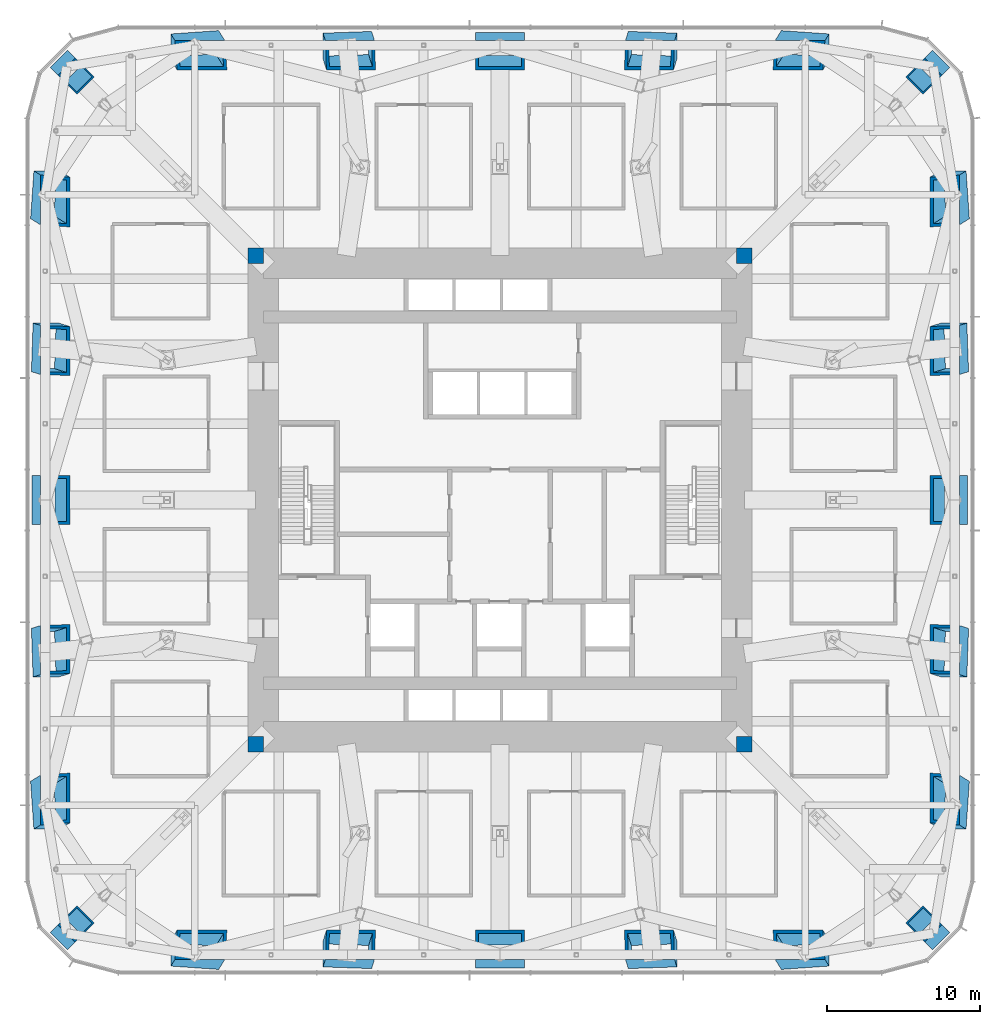
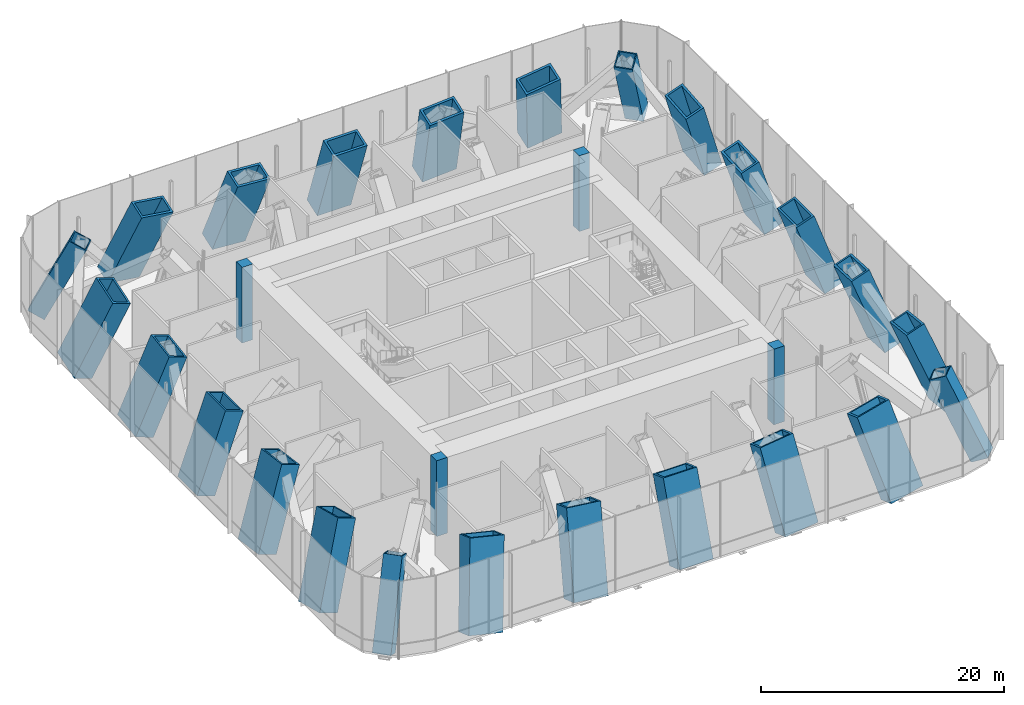
# One storey, part 1 of 20: 28 columns.
"""IFC4 building model written with IfcOpenShell, lengths in metres."""

from ifc_helpers import new_model, si_unit, direction, frame, origin, origin_2d, place, context, subcontext, project, spatial, rectangle, hollow_rectangle, extrude, material, material_profile, profile_set, type_object, element, save


model = new_model("IFC4")

# Units and contexts
model_context = context("Model", 3, precision=1e-05, world=origin(), true_north=direction((0.0, 1.0)))
body_context = subcontext(model_context, "Body", "Model", "MODEL_VIEW")
ifc_project = project(units=[si_unit("LENGTHUNIT", "METRE"), si_unit("AREAUNIT", "SQUARE_METRE"), si_unit("VOLUMEUNIT", "CUBIC_METRE"), si_unit("PLANEANGLEUNIT", "RADIAN"), si_unit("MASSUNIT", "GRAM", prefix="KILO")], contexts=[model_context])

# Site, building, storey
site_placement = place(None, origin())
site = spatial("IfcSite", under=ifc_project, at=site_placement, CompositionType="ELEMENT")
building_placement = place(site_placement, origin())
building = spatial("IfcBuilding", under=site, at=building_placement, Name="Khuree Lantern Residences", CompositionType="ELEMENT")
storey_placement = place(building_placement, frame((0.0, 0.0, 99.75)))
storey = spatial("IfcBuildingStorey", under=building, at=storey_placement, Name="L25", CompositionType="ELEMENT", Elevation=99.75)

# Columns
ifc_material_1 = material(Name="Steel S355 CFT welded box", Category="steel")
ifc_material_profile_1 = material_profile(ifc_material_1, hollow_rectangle(XDim=1.60009765625, YDim=1.60009765625, WallThickness=0.10009765625, at=origin_2d()), Name="WELDED BOX 1600X1600X100")
ifc_profile_set_1 = profile_set([ifc_material_profile_1], Name="Steel S355 CFT welded box")
column_type_1 = type_object("IfcColumnType", Name="CC1600 PERIMETER CORNER MEGA COLUMN WELDED BOX 1600X1600X100", PredefinedType="COLUMN", material=ifc_profile_set_1)
for number, where, z_axis, x_axis, name in (
    (1, (28.39404296875, 28.39404296875, -0.64990234375), (-0.300622896132, -0.300622896132, 0.905125266824), (0.707106781187, -0.707106781187, 0.0), "Perimeter column NE"),
    (2, (28.39404296875, -28.39404296875, -0.64990234375), (-0.300622896132, 0.300622896132, 0.905125266824), (0.707106781187, 0.707106781187, 0.0), "Perimeter column SE"),
    (3, (-28.39404296875, -28.39404296875, -0.64990234375), (0.300622896132, 0.300622896132, 0.905125266824), (0.707106781187, -0.707106781187, 0.0), "Perimeter column SW"),
    (4, (-28.39404296875, 28.39404296875, -0.64990234375), (0.300622896132, -0.300622896132, 0.905125266824), (0.707106781187, 0.707106781187, 0.0), "Perimeter column NW"),
):
    element("IfcColumn", number, at=place(storey_placement, frame(where, z_axis=z_axis, x_axis=x_axis)), inside=storey, type_object=column_type_1, Name=name, PredefinedType="COLUMN", context=body_context, shape_type="SweptSolid", body=[
        extrude(hollow_rectangle(XDim=1.60009765625, YDim=1.60009765625, WallThickness=0.10009765625, at=origin_2d()), origin(), (0.0, 0.0, 1.0), 8.396484375),
    ])
ifc_material_2 = material(Name="Concrete C70/85", Category="concrete")
ifc_material_profile_2 = material_profile(ifc_material_2, rectangle(XDim=1.0, YDim=1.0, at=origin_2d()), Name="RC 1000X1000")
ifc_profile_set_2 = profile_set([ifc_material_profile_2], Name="Concrete C70/85")
column_type_2 = type_object("IfcColumnType", Name="CP1000-C70 CORE CORNER PIER C70 RC 1000X1000", PredefinedType="COLUMN", material=ifc_profile_set_2)
for number, where, z_axis, x_axis, name in (
    (5, (16.0, 16.0, -0.35009765625), (0.0, 0.0, 1.0), (1.0, 0.0, 0.0), "Core corner pier NE"),
    (6, (-16.0, 16.0, -0.35009765625), (0.0, 0.0, 1.0), (1.0, 0.0, 0.0), "Core corner pier NW"),
    (7, (-16.0, -16.0, -0.35009765625), (0.0, 0.0, 1.0), (1.0, 0.0, 0.0), "Core corner pier SW"),
    (8, (16.0, -16.0, -0.35009765625), (0.0, 0.0, 1.0), (1.0, 0.0, 0.0), "Core corner pier SE"),
):
    element("IfcColumn", number, at=place(storey_placement, frame(where, z_axis=z_axis, x_axis=x_axis)), inside=storey, type_object=column_type_2, Name=name, PredefinedType="COLUMN", context=body_context, shape_type="SweptSolid", body=[
        extrude(rectangle(XDim=1.0, YDim=1.0, at=origin_2d()), origin(), (0.0, 0.0, 1.0), 7.60009765625),
    ])
ifc_material_profile_3 = material_profile(ifc_material_1, hollow_rectangle(XDim=3.199951171875, YDim=1.800048828125, WallThickness=0.199951171875, at=origin_2d()), Name="WELDED BOX 3200X1800X200")
ifc_profile_set_3 = profile_set([ifc_material_profile_3], Name="Steel S355 CFT welded box")
column_type_3 = type_object("IfcColumnType", Name="SC1 PERIMETER MEGA COLUMN WELDED BOX 3200X1800X200", PredefinedType="COLUMN", material=ifc_profile_set_3)
column_1_placement = place(storey_placement, frame((-20.0, 29.800048828125, -0.64990234375), z_axis=(0.203917129379, -0.327731366633, 0.922502008492), x_axis=(0.978988153279, 0.068255512614, -0.192154575114)))
element("IfcColumn", 9, at=column_1_placement, inside=storey, type_object=column_type_3, Name="Perimeter column N1", PredefinedType="COLUMN", context=body_context, shape_type="SweptSolid", body=[
    extrude(hollow_rectangle(XDim=3.199951171875, YDim=1.800048828125, WallThickness=0.199951171875, at=origin_2d()), origin(), (0.0, 0.0, 1.0), 8.23828125),
])
column_2_placement = place(storey_placement, frame((-10.0, 29.800048828125, -0.64990234375), z_axis=(0.103601510687, -0.332963994967, 0.937230870724), x_axis=(0.994618884766, 0.034712905596, -0.097612951251)))
element("IfcColumn", 10, at=column_2_placement, inside=storey, type_object=column_type_3, Name="Perimeter column N2", PredefinedType="COLUMN", context=body_context, shape_type="SweptSolid", body=[
    extrude(hollow_rectangle(XDim=3.199951171875, YDim=1.800048828125, WallThickness=0.199951171875, at=origin_2d()), origin(), (0.0, 0.0, 1.0), 8.10888671875),
])
column_3_placement = place(storey_placement, frame((0.0, 29.800048828125, -0.64990234375), z_axis=(0.0, -0.334765406017, 0.942301503201), x_axis=(1.0, 0.0, 0.0)))
element("IfcColumn", 11, at=column_3_placement, inside=storey, type_object=column_type_3, Name="Perimeter column N3", PredefinedType="COLUMN", context=body_context, shape_type="SweptSolid", body=[
    extrude(hollow_rectangle(XDim=3.199951171875, YDim=1.800048828125, WallThickness=0.199951171875, at=origin_2d()), origin(), (0.0, 0.0, 1.0), 8.065185546875),
])
column_4_placement = place(storey_placement, frame((10.0, 29.800048828125, -0.64990234375), z_axis=(-0.103601510687, -0.332963994967, 0.937230870724), x_axis=(0.994618884766, -0.034712905596, 0.097612951251)))
element("IfcColumn", 12, at=column_4_placement, inside=storey, type_object=column_type_3, Name="Perimeter column N4", PredefinedType="COLUMN", context=body_context, shape_type="SweptSolid", body=[
    extrude(hollow_rectangle(XDim=3.199951171875, YDim=1.800048828125, WallThickness=0.199951171875, at=origin_2d()), origin(), (0.0, 0.0, 1.0), 8.10888671875),
])
for number, where, z_axis, x_axis, name in (
    (13, (20.0, 29.800048828125, -0.64990234375), (-0.203917129379, -0.327731366633, 0.922502008492), (0.978988153279, -0.068255512614, 0.192154575114), "Perimeter column N5"),
    (14, (29.800048828125, 20.0, -0.64990234375), (-0.327731366633, -0.203917129379, 0.922502008492), (-0.068255512614, 0.978988153279, 0.192154575114), "Perimeter column E1"),
):
    element("IfcColumn", number, at=place(storey_placement, frame(where, z_axis=z_axis, x_axis=x_axis)), inside=storey, type_object=column_type_3, Name=name, PredefinedType="COLUMN", context=body_context, shape_type="SweptSolid", body=[
        extrude(hollow_rectangle(XDim=3.199951171875, YDim=1.800048828125, WallThickness=0.199951171875, at=origin_2d()), origin(), (0.0, 0.0, 1.0), 8.23828125),
    ])
column_5_placement = place(storey_placement, frame((29.800048828125, 10.0, -0.64990234375), z_axis=(-0.332963994967, -0.103601510687, 0.937230870724), x_axis=(-0.034712905596, 0.994618884766, 0.097612951251)))
element("IfcColumn", 15, at=column_5_placement, inside=storey, type_object=column_type_3, Name="Perimeter column E2", PredefinedType="COLUMN", context=body_context, shape_type="SweptSolid", body=[
    extrude(hollow_rectangle(XDim=3.199951171875, YDim=1.800048828125, WallThickness=0.199951171875, at=origin_2d()), origin(), (0.0, 0.0, 1.0), 8.10888671875),
])
column_6_placement = place(storey_placement, frame((29.800048828125, 0.0, -0.64990234375), z_axis=(-0.334765406017, 0.0, 0.942301503201), x_axis=(0.0, 1.0, 0.0)))
element("IfcColumn", 16, at=column_6_placement, inside=storey, type_object=column_type_3, Name="Perimeter column E3", PredefinedType="COLUMN", context=body_context, shape_type="SweptSolid", body=[
    extrude(hollow_rectangle(XDim=3.199951171875, YDim=1.800048828125, WallThickness=0.199951171875, at=origin_2d()), origin(), (0.0, 0.0, 1.0), 8.065185546875),
])
column_7_placement = place(storey_placement, frame((29.800048828125, -10.0, -0.64990234375), z_axis=(-0.332963994967, 0.103601510687, 0.937230870724), x_axis=(0.034712905596, 0.994618884766, -0.097612951251)))
element("IfcColumn", 17, at=column_7_placement, inside=storey, type_object=column_type_3, Name="Perimeter column E4", PredefinedType="COLUMN", context=body_context, shape_type="SweptSolid", body=[
    extrude(hollow_rectangle(XDim=3.199951171875, YDim=1.800048828125, WallThickness=0.199951171875, at=origin_2d()), origin(), (0.0, 0.0, 1.0), 8.10888671875),
])
for number, where, z_axis, x_axis, name in (
    (18, (29.800048828125, -20.0, -0.64990234375), (-0.327731366633, 0.203917129379, 0.922502008492), (0.068255512614, 0.978988153279, -0.192154575114), "Perimeter column E5"),
    (19, (20.0, -29.800048828125, -0.64990234375), (-0.203917129379, 0.327731366633, 0.922502008492), (0.978988153279, 0.068255512614, 0.192154575114), "Perimeter column S1"),
):
    element("IfcColumn", number, at=place(storey_placement, frame(where, z_axis=z_axis, x_axis=x_axis)), inside=storey, type_object=column_type_3, Name=name, PredefinedType="COLUMN", context=body_context, shape_type="SweptSolid", body=[
        extrude(hollow_rectangle(XDim=3.199951171875, YDim=1.800048828125, WallThickness=0.199951171875, at=origin_2d()), origin(), (0.0, 0.0, 1.0), 8.23828125),
    ])
column_8_placement = place(storey_placement, frame((10.0, -29.800048828125, -0.64990234375), z_axis=(-0.103601510687, 0.332963994967, 0.937230870724), x_axis=(0.994618884766, 0.034712905596, 0.097612951251)))
element("IfcColumn", 20, at=column_8_placement, inside=storey, type_object=column_type_3, Name="Perimeter column S2", PredefinedType="COLUMN", context=body_context, shape_type="SweptSolid", body=[
    extrude(hollow_rectangle(XDim=3.199951171875, YDim=1.800048828125, WallThickness=0.199951171875, at=origin_2d()), origin(), (0.0, 0.0, 1.0), 8.10888671875),
])
column_9_placement = place(storey_placement, frame((0.0, -29.800048828125, -0.64990234375), z_axis=(0.0, 0.334765406017, 0.942301503201), x_axis=(1.0, 0.0, 0.0)))
element("IfcColumn", 21, at=column_9_placement, inside=storey, type_object=column_type_3, Name="Perimeter column S3", PredefinedType="COLUMN", context=body_context, shape_type="SweptSolid", body=[
    extrude(hollow_rectangle(XDim=3.199951171875, YDim=1.800048828125, WallThickness=0.199951171875, at=origin_2d()), origin(), (0.0, 0.0, 1.0), 8.065185546875),
])
column_10_placement = place(storey_placement, frame((-10.0, -29.800048828125, -0.64990234375), z_axis=(0.103601510687, 0.332963994967, 0.937230870724), x_axis=(0.994618884766, -0.034712905596, -0.097612951251)))
element("IfcColumn", 22, at=column_10_placement, inside=storey, type_object=column_type_3, Name="Perimeter column S4", PredefinedType="COLUMN", context=body_context, shape_type="SweptSolid", body=[
    extrude(hollow_rectangle(XDim=3.199951171875, YDim=1.800048828125, WallThickness=0.199951171875, at=origin_2d()), origin(), (0.0, 0.0, 1.0), 8.10888671875),
])
for number, where, z_axis, x_axis, name in (
    (23, (-20.0, -29.800048828125, -0.64990234375), (0.203917129379, 0.327731366633, 0.922502008492), (0.978988153279, -0.068255512614, -0.192154575114), "Perimeter column S5"),
    (24, (-29.800048828125, -20.0, -0.64990234375), (0.327731366633, 0.203917129379, 0.922502008492), (-0.068255512614, 0.978988153279, -0.192154575114), "Perimeter column W1"),
):
    element("IfcColumn", number, at=place(storey_placement, frame(where, z_axis=z_axis, x_axis=x_axis)), inside=storey, type_object=column_type_3, Name=name, PredefinedType="COLUMN", context=body_context, shape_type="SweptSolid", body=[
        extrude(hollow_rectangle(XDim=3.199951171875, YDim=1.800048828125, WallThickness=0.199951171875, at=origin_2d()), origin(), (0.0, 0.0, 1.0), 8.23828125),
    ])
column_11_placement = place(storey_placement, frame((-29.800048828125, -10.0, -0.64990234375), z_axis=(0.332963994967, 0.103601510687, 0.937230870724), x_axis=(-0.034712905596, 0.994618884766, -0.097612951251)))
element("IfcColumn", 25, at=column_11_placement, inside=storey, type_object=column_type_3, Name="Perimeter column W2", PredefinedType="COLUMN", context=body_context, shape_type="SweptSolid", body=[
    extrude(hollow_rectangle(XDim=3.199951171875, YDim=1.800048828125, WallThickness=0.199951171875, at=origin_2d()), origin(), (0.0, 0.0, 1.0), 8.10888671875),
])
column_12_placement = place(storey_placement, frame((-29.800048828125, 0.0, -0.64990234375), z_axis=(0.334765406017, 0.0, 0.942301503201), x_axis=(0.0, 1.0, 0.0)))
element("IfcColumn", 26, at=column_12_placement, inside=storey, type_object=column_type_3, Name="Perimeter column W3", PredefinedType="COLUMN", context=body_context, shape_type="SweptSolid", body=[
    extrude(hollow_rectangle(XDim=3.199951171875, YDim=1.800048828125, WallThickness=0.199951171875, at=origin_2d()), origin(), (0.0, 0.0, 1.0), 8.065185546875),
])
column_13_placement = place(storey_placement, frame((-29.800048828125, 10.0, -0.64990234375), z_axis=(0.332963994967, -0.103601510687, 0.937230870724), x_axis=(0.034712905596, 0.994618884766, 0.097612951251)))
element("IfcColumn", 27, at=column_13_placement, inside=storey, type_object=column_type_3, Name="Perimeter column W4", PredefinedType="COLUMN", context=body_context, shape_type="SweptSolid", body=[
    extrude(hollow_rectangle(XDim=3.199951171875, YDim=1.800048828125, WallThickness=0.199951171875, at=origin_2d()), origin(), (0.0, 0.0, 1.0), 8.10888671875),
])
column_14_placement = place(storey_placement, frame((-29.800048828125, 20.0, -0.64990234375), z_axis=(0.327731366633, -0.203917129379, 0.922502008492), x_axis=(0.068255512614, 0.978988153279, 0.192154575114)))
element("IfcColumn", 28, at=column_14_placement, inside=storey, type_object=column_type_3, Name="Perimeter column W5", PredefinedType="COLUMN", context=body_context, shape_type="SweptSolid", body=[
    extrude(hollow_rectangle(XDim=3.199951171875, YDim=1.800048828125, WallThickness=0.199951171875, at=origin_2d()), origin(), (0.0, 0.0, 1.0), 8.23828125),
])

save(model, "model.ifc")
